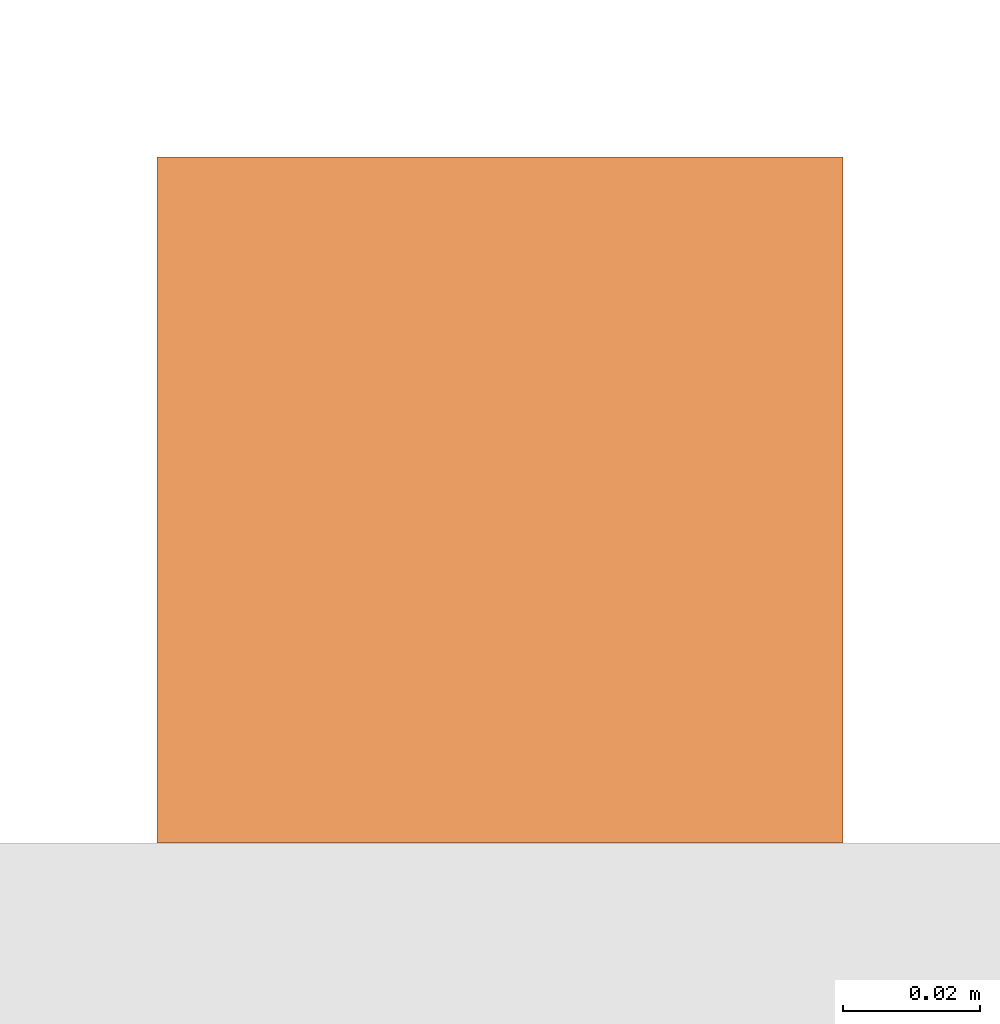
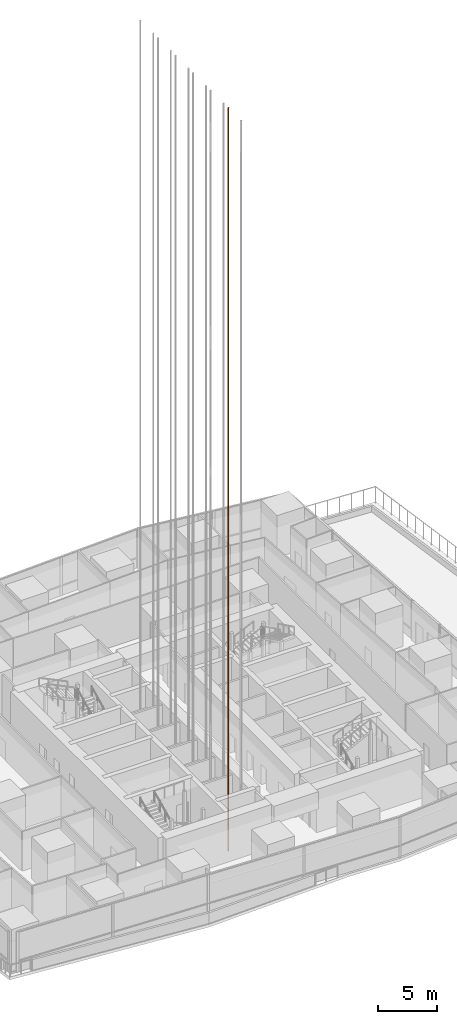
# One storey, part 29 of 39: 1 proxy.
"""IFC4 building model written with IfcOpenShell, lengths in metres."""

from ifc_helpers import new_model, si_unit, direction, frame, origin, origin_2d, place, context, subcontext, project, spatial, rectangle, extrude, material, type_object, element, save


model = new_model("IFC4")

# Units and contexts
model_context = context("Model", 3, precision=1e-05, world=origin(), true_north=direction((0.0, 1.0)))
body_context = subcontext(model_context, "Body", "Model", "MODEL_VIEW")
ifc_project = project(units=[si_unit("LENGTHUNIT", "METRE"), si_unit("AREAUNIT", "SQUARE_METRE"), si_unit("VOLUMEUNIT", "CUBIC_METRE"), si_unit("PLANEANGLEUNIT", "RADIAN"), si_unit("MASSUNIT", "GRAM", prefix="KILO")], contexts=[model_context])

# Site, building, storey
site_placement = place(None, origin())
site = spatial("IfcSite", under=ifc_project, at=site_placement, CompositionType="ELEMENT")
building_placement = place(site_placement, origin())
building = spatial("IfcBuilding", under=site, at=building_placement, Name="Rekha Terrace Tower", CompositionType="ELEMENT")
storey_placement = place(building_placement, frame((0.0, 0.0, 168.199951171875)))
storey = spatial("IfcBuildingStorey", under=building, at=storey_placement, Name="L42", CompositionType="ELEMENT", Elevation=168.199951171875)

# Proxy
ifc_material = material(Name="Steel guide rail", Category="steel")
building_element_proxy_type = type_object("IfcBuildingElementProxyType", Name="LR1 100 lift guide rail", PredefinedType="ELEMENT", material=ifc_material)
proxy_placement = place(storey_placement, frame((34.5, 26.0, -3.2998046875), z_axis=(0.0, 0.0, 1.0), x_axis=(1.0, 0.0, 0.0)))
element("IfcBuildingElementProxy", 1, at=proxy_placement, inside=storey, type_object=building_element_proxy_type, Name="Lift C1 guide rail 2", PredefinedType="ELEMENT", context=body_context, shape_type="SweptSolid", body=[
    extrude(rectangle(XDim=0.10009765625, YDim=0.10009765625, at=origin_2d()), origin(), (0.0, 0.0, 1.0), 77.39990234375),
])

save(model, "model.ifc")
